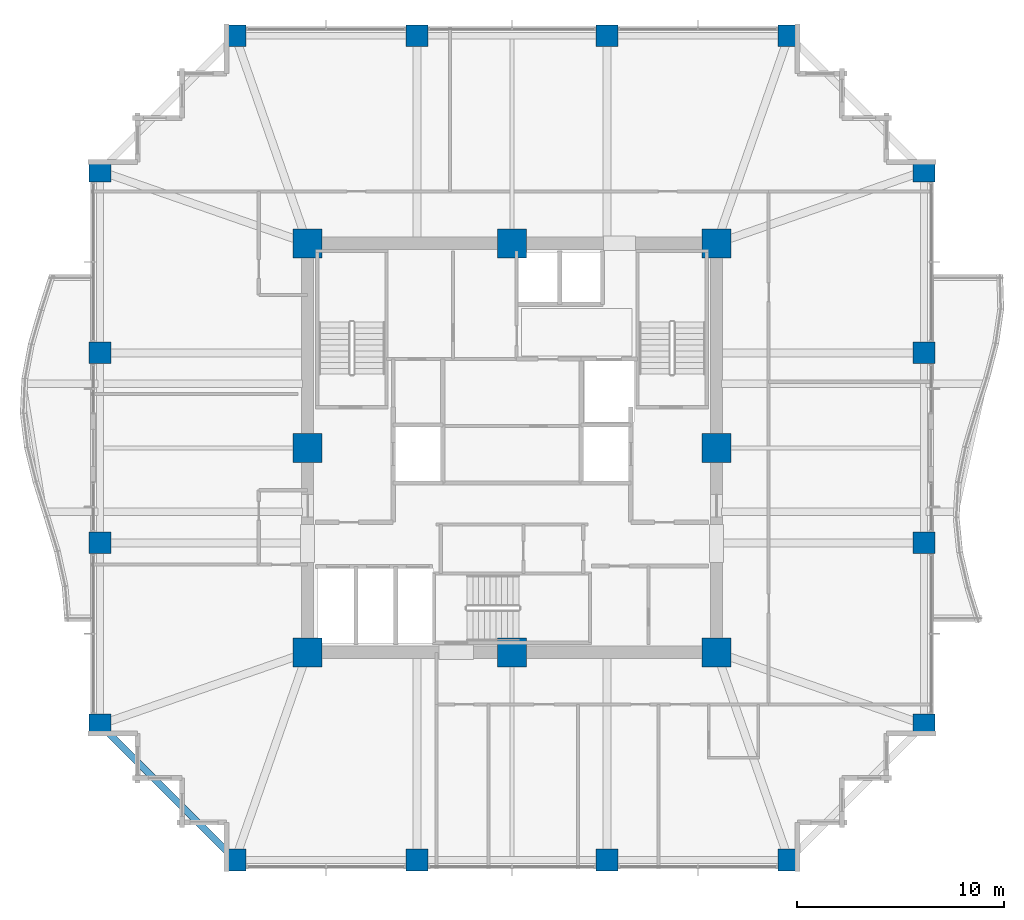
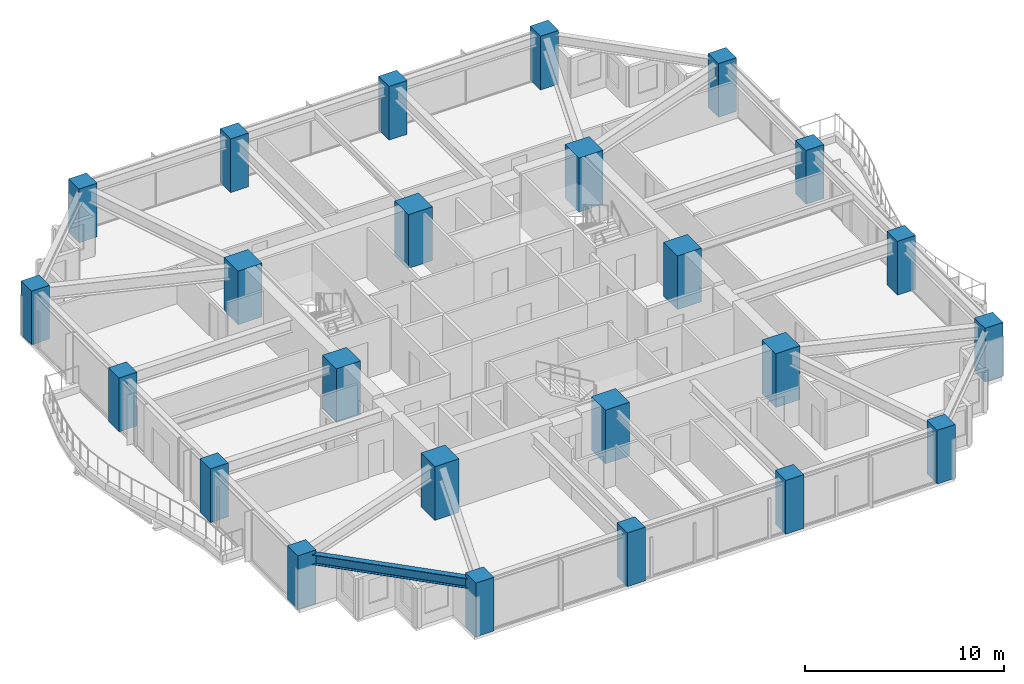
# One storey, part 1 of 36: 24 columns, 1 beam.
"""IFC4 building model written with IfcOpenShell, lengths in metres."""

from ifc_helpers import new_model, si_unit, direction, frame, origin, origin_2d, place, context, subcontext, project, spatial, rectangle, i_section, extrude, material, material_profile, profile_set, type_object, element, save


model = new_model("IFC4")

# Units and contexts
model_context = context("Model", 3, precision=1e-05, world=origin(), true_north=direction((0.0, 1.0)))
body_context = subcontext(model_context, "Body", "Model", "MODEL_VIEW")
ifc_project = project(units=[si_unit("LENGTHUNIT", "METRE"), si_unit("AREAUNIT", "SQUARE_METRE"), si_unit("VOLUMEUNIT", "CUBIC_METRE"), si_unit("PLANEANGLEUNIT", "RADIAN"), si_unit("MASSUNIT", "GRAM", prefix="KILO")], contexts=[model_context])

# Site, building, storey
site_placement = place(None, origin())
site = spatial("IfcSite", under=ifc_project, at=site_placement, CompositionType="ELEMENT")
building_placement = place(site_placement, origin())
building = spatial("IfcBuilding", under=site, at=building_placement, Name="Kolvaren Belvedere", CompositionType="ELEMENT")
storey_placement = place(building_placement, frame((0.0, 0.0, 92.0)))
storey = spatial("IfcBuildingStorey", under=building, at=storey_placement, Name="L26", CompositionType="ELEMENT", Elevation=92.0)

# Columns
ifc_material_1 = material(Name="Concrete C50/60", Category="concrete")
ifc_material_profile_1 = material_profile(ifc_material_1, rectangle(XDim=1.050048828125, YDim=1.050048828125, at=origin_2d()), Name="RC 1050X1050")
ifc_profile_set_1 = profile_set([ifc_material_profile_1], Name="Concrete C50/60")
column_type_1 = type_object("IfcColumnType", Name="COL-RC-1050", PredefinedType="COLUMN", material=ifc_profile_set_1)
for number, where, z_axis, x_axis, name in (
    (1, (-13.39990234375, -19.949951171875, 0.0), (0.0, 0.0, 1.0), (1.0, 0.0, 0.0), "L26 Perimeter Column S1"),
    (2, (-4.60009765625, -19.949951171875, 0.0), (0.0, 0.0, 1.0), (1.0, 0.0, 0.0), "L26 Perimeter Column S2"),
    (3, (4.60009765625, -19.949951171875, 0.0), (0.0, 0.0, 1.0), (1.0, 0.0, 0.0), "L26 Perimeter Column S3"),
    (4, (13.39990234375, -19.949951171875, 0.0), (0.0, 0.0, 1.0), (1.0, 0.0, 0.0), "L26 Perimeter Column S4"),
    (5, (-13.39990234375, 19.949951171875, 0.0), (0.0, 0.0, 1.0), (1.0, 0.0, 0.0), "L26 Perimeter Column N1"),
    (6, (-4.60009765625, 19.949951171875, 0.0), (0.0, 0.0, 1.0), (1.0, 0.0, 0.0), "L26 Perimeter Column N2"),
    (7, (4.60009765625, 19.949951171875, 0.0), (0.0, 0.0, 1.0), (1.0, 0.0, 0.0), "L26 Perimeter Column N3"),
    (8, (13.39990234375, 19.949951171875, 0.0), (0.0, 0.0, 1.0), (1.0, 0.0, 0.0), "L26 Perimeter Column N4"),
    (9, (-19.949951171875, -13.39990234375, 0.0), (0.0, 0.0, 1.0), (1.0, 0.0, 0.0), "L26 Perimeter Column W1"),
    (10, (-19.949951171875, -4.60009765625, 0.0), (0.0, 0.0, 1.0), (1.0, 0.0, 0.0), "L26 Perimeter Column W2"),
    (11, (-19.949951171875, 4.60009765625, 0.0), (0.0, 0.0, 1.0), (1.0, 0.0, 0.0), "L26 Perimeter Column W3"),
    (12, (-19.949951171875, 13.39990234375, 0.0), (0.0, 0.0, 1.0), (1.0, 0.0, 0.0), "L26 Perimeter Column W4"),
    (13, (19.949951171875, -13.39990234375, 0.0), (0.0, 0.0, 1.0), (1.0, 0.0, 0.0), "L26 Perimeter Column E1"),
    (14, (19.949951171875, -4.60009765625, 0.0), (0.0, 0.0, 1.0), (1.0, 0.0, 0.0), "L26 Perimeter Column E2"),
    (15, (19.949951171875, 4.60009765625, 0.0), (0.0, 0.0, 1.0), (1.0, 0.0, 0.0), "L26 Perimeter Column E3"),
    (16, (19.949951171875, 13.39990234375, 0.0), (0.0, 0.0, 1.0), (1.0, 0.0, 0.0), "L26 Perimeter Column E4"),
):
    element("IfcColumn", number, at=place(storey_placement, frame(where, z_axis=z_axis, x_axis=x_axis)), inside=storey, type_object=column_type_1, Name=name, PredefinedType="COLUMN", context=body_context, shape_type="SweptSolid", body=[
        extrude(rectangle(XDim=1.050048828125, YDim=1.050048828125, at=origin_2d()), origin(), (0.0, 0.0, 1.0), 3.300048828125),
    ])
ifc_material_2 = material(Name="Concrete C60/75", Category="concrete")
ifc_material_profile_2 = material_profile(ifc_material_2, rectangle(XDim=1.39990234375, YDim=1.39990234375, at=origin_2d()), Name="RC 1400X1400")
ifc_profile_set_2 = profile_set([ifc_material_profile_2], Name="Concrete C60/75")
column_type_2 = type_object("IfcColumnType", Name="COL-RC-1400", PredefinedType="COLUMN", material=ifc_profile_set_2)
for number, where, z_axis, x_axis, name in (
    (17, (-9.89990234375, -9.89990234375, 0.0), (0.0, 0.0, 1.0), (1.0, 0.0, 0.0), "L26 Core Column CC1"),
    (18, (9.89990234375, -9.89990234375, 0.0), (0.0, 0.0, 1.0), (1.0, 0.0, 0.0), "L26 Core Column CC2"),
    (19, (9.89990234375, 9.89990234375, 0.0), (0.0, 0.0, 1.0), (1.0, 0.0, 0.0), "L26 Core Column CC3"),
    (20, (-9.89990234375, 9.89990234375, 0.0), (0.0, 0.0, 1.0), (1.0, 0.0, 0.0), "L26 Core Column CC4"),
    (21, (0.0, -9.89990234375, 0.0), (0.0, 0.0, 1.0), (1.0, 0.0, 0.0), "L26 Core Column CM1"),
    (22, (9.89990234375, 0.0, 0.0), (0.0, 0.0, 1.0), (1.0, 0.0, 0.0), "L26 Core Column CM2"),
    (23, (0.0, 9.89990234375, 0.0), (0.0, 0.0, 1.0), (1.0, 0.0, 0.0), "L26 Core Column CM3"),
    (24, (-9.89990234375, 0.0, 0.0), (0.0, 0.0, 1.0), (1.0, 0.0, 0.0), "L26 Core Column CM4"),
):
    element("IfcColumn", number, at=place(storey_placement, frame(where, z_axis=z_axis, x_axis=x_axis)), inside=storey, type_object=column_type_2, Name=name, PredefinedType="COLUMN", context=body_context, shape_type="SweptSolid", body=[
        extrude(rectangle(XDim=1.39990234375, YDim=1.39990234375, at=origin_2d()), origin(), (0.0, 0.0, 1.0), 3.300048828125),
    ])

# Beam
ifc_material_3 = material(Name="Structural steel ASTM A992 Grade 50", Category="steel")
ifc_material_profile_3 = material_profile(ifc_material_3, i_section(OverallWidth=0.324951171875, OverallDepth=0.615966796875, WebThickness=0.013916015625, FlangeThickness=0.021484375, FilletRadius=0.02001953125, at=origin_2d()), Name="W24X117")
ifc_profile_set_3 = profile_set([ifc_material_profile_3], Name="Structural steel ASTM A992 Grade 50")
beam_type = type_object("IfcBeamType", Name="BM-SPAN-W24X117", PredefinedType="SPANDREL", material=ifc_profile_set_3)
beam_placement = place(storey_placement, frame((-19.782958984375, -13.567138671875, 2.77197265625), z_axis=(0.707106781187, -0.707106781187, 0.0), x_axis=(0.707106781187, 0.707106781187, 0.0)))
element("IfcBeam", 25, at=beam_placement, inside=storey, type_object=beam_type, Name="L26 Perimeter Spandrel W1-S1", PredefinedType="SPANDREL", context=body_context, shape_type="SweptSolid", body=[
    extrude(i_section(OverallWidth=0.324951171875, OverallDepth=0.615966796875, WebThickness=0.013916015625, FlangeThickness=0.021484375, FilletRadius=0.02001953125, at=origin_2d()), origin(), (0.0, 0.0, 1.0), 8.79052734375),
])

save(model, "model.ifc")
